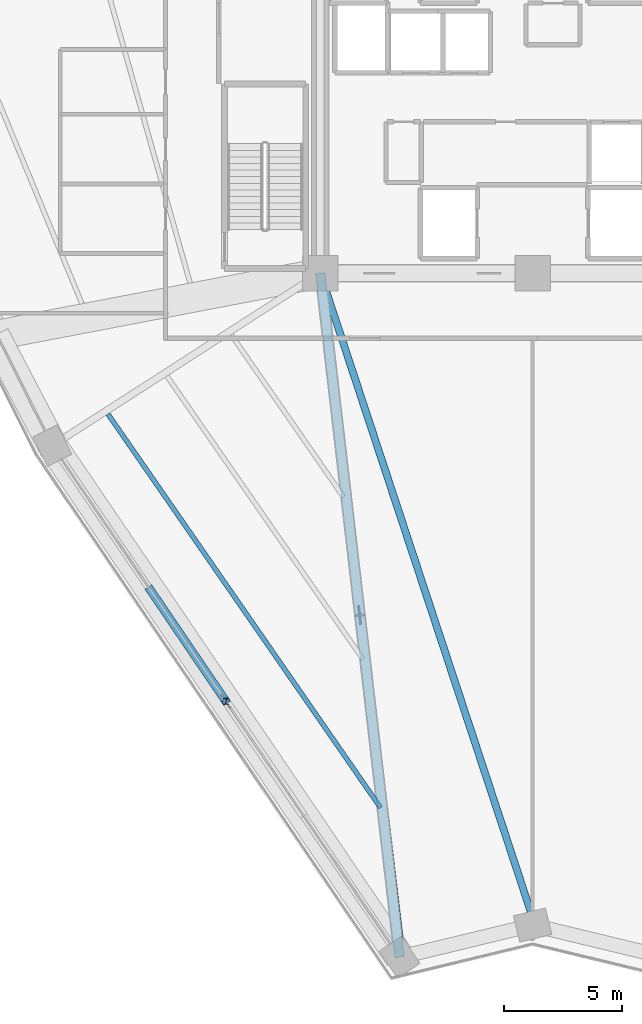
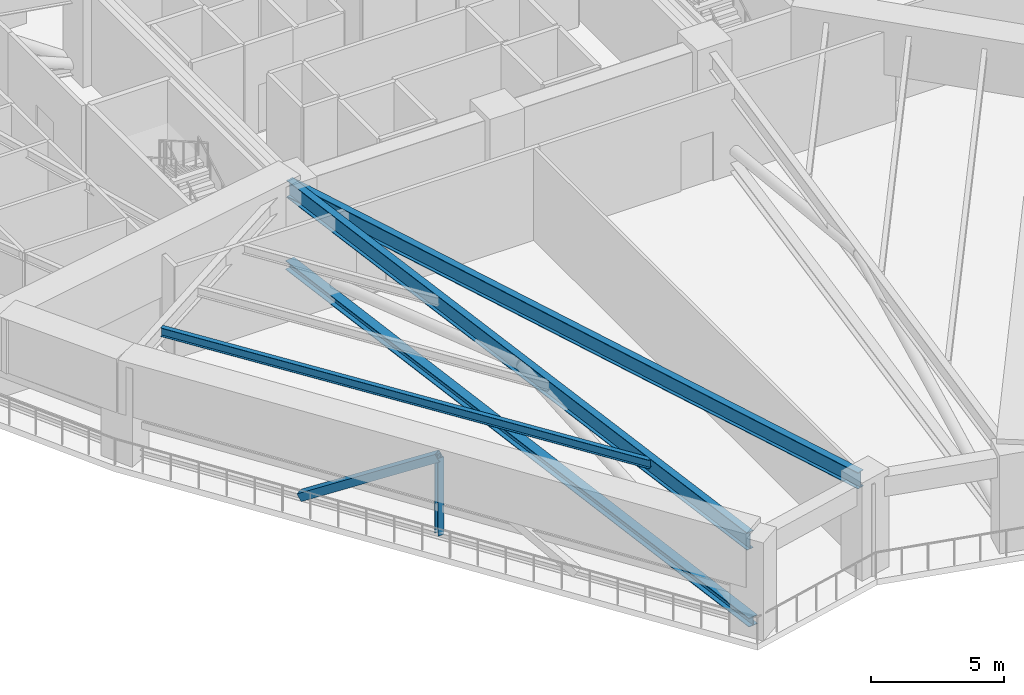
# One storey, part 2 of 27: 3 beams, 3 members.
"""IFC4 building model written with IfcOpenShell, lengths in metres."""

from ifc_helpers import new_model, si_unit, direction, frame, origin, origin_2d, place, context, subcontext, project, spatial, hollow_rectangle, i_section, extrude, source, transform, mapped, material, material_profile, profile_set, type_object, element, save


model = new_model("IFC4")

# Units and contexts
model_context = context("Model", 3, precision=1e-05, world=origin(), true_north=direction((0.0, 1.0)))
body_context = subcontext(model_context, "Body", "Model", "MODEL_VIEW")
ifc_project = project(units=[si_unit("LENGTHUNIT", "METRE"), si_unit("AREAUNIT", "SQUARE_METRE"), si_unit("VOLUMEUNIT", "CUBIC_METRE"), si_unit("PLANEANGLEUNIT", "RADIAN"), si_unit("MASSUNIT", "GRAM", prefix="KILO")], contexts=[model_context])

# Site, building, storey
site_placement = place(None, origin())
site = spatial("IfcSite", under=ifc_project, at=site_placement, CompositionType="ELEMENT")
building_placement = place(site_placement, origin())
building = spatial("IfcBuilding", under=site, at=building_placement, Name="Liaohun Quay Tower", CompositionType="ELEMENT")
storey_placement = place(building_placement, frame((0.0, 0.0, 185.25)))
storey = spatial("IfcBuildingStorey", under=building, at=storey_placement, Name="L48", CompositionType="ELEMENT", Elevation=185.25)

# Member
ifc_material_1 = material(Name="Steel Q355D", Category="steel")
ifc_material_profile_1 = material_profile(ifc_material_1, i_section(OverallWidth=0.25, OverallDepth=0.25, WebThickness=0.009033203125, FlangeThickness=0.013916015625, at=origin_2d()), Name="HW250x250x9x14")
ifc_profile_set_1 = profile_set([ifc_material_profile_1], Name="Steel Q355D")
member_type_1 = type_object("IfcMemberType", Name="MEM-BLT-PST", PredefinedType="POST", material=ifc_profile_set_1)
shared_shape_1 = source(origin(), body_context, "Body", "SweptSolid", [
    extrude(i_section(OverallWidth=0.25, OverallDepth=0.25, WebThickness=0.009033203125, FlangeThickness=0.013916015625, at=origin_2d()), origin(), (0.0, 0.0, 1.0), 3.56982421875),
])
member_1_placement = place(storey_placement, frame((47.001953125, 28.34912109375, 0.35009765625), z_axis=(0.0, 0.0, 1.0), x_axis=(1.0, 0.0, 0.0)))
element("IfcMember", 1, at=member_1_placement, inside=storey, type_object=member_type_1, Name="L48 Belt Truss Vertical Post BP-1-01", PredefinedType="POST", context=body_context, shape_type="MappedRepresentation", body=[
    mapped(shared_shape_1, transform((0.0, 0.0, 0.0), x_axis=(1.0, 0.0, 0.0), y_axis=(0.0, 1.0, 0.0), z_axis=(0.0, 0.0, 1.0), scale=1.0)),
])

# Beams
ifc_material_profile_2 = material_profile(ifc_material_1, i_section(OverallWidth=0.300048828125, OverallDepth=0.800048828125, WebThickness=0.013916015625, FlangeThickness=0.02587890625, at=origin_2d()), Name="HN800x300x14x26")
ifc_profile_set_2 = profile_set([ifc_material_profile_2], Name="Steel Q355D")
beam_type_1 = type_object("IfcBeamType", Name="BM-RAD-M1", PredefinedType="BEAM", material=ifc_profile_set_2)
shared_shape_2 = source(origin(), body_context, "Body", "SweptSolid", [
    extrude(i_section(OverallWidth=0.300048828125, OverallDepth=0.800048828125, WebThickness=0.013916015625, FlangeThickness=0.02587890625, at=origin_2d()), origin(), (0.0, 0.0, 1.0), 28.85693359375),
])
beam_1_placement = place(storey_placement, frame((51.0, 46.5, 3.820068359375), z_axis=(0.118623434289, -0.992939313774, 0.0), x_axis=(0.992939313774, 0.118623434289, 0.0)))
element("IfcBeam", 2, at=beam_1_placement, inside=storey, type_object=beam_type_1, Name="L48 Radial Primary Girder CC1-PC01", PredefinedType="BEAM", context=body_context, shape_type="MappedRepresentation", body=[
    mapped(shared_shape_2, transform((0.0, 0.0, 0.0), x_axis=(1.0, 0.0, 0.0), y_axis=(0.0, 1.0, 0.0), z_axis=(0.0, 0.0, 1.0), scale=1.0)),
])
ifc_material_profile_3 = material_profile(ifc_material_1, i_section(OverallWidth=0.300048828125, OverallDepth=0.75, WebThickness=0.013916015625, FlangeThickness=0.02587890625, at=origin_2d()), Name="HN750x300x14x26")
ifc_profile_set_3 = profile_set([ifc_material_profile_3], Name="Steel Q355D")
beam_type_2 = type_object("IfcBeamType", Name="BM-RAD-M2", PredefinedType="BEAM", material=ifc_profile_set_3)
shared_shape_3 = source(origin(), body_context, "Body", "SweptSolid", [
    extrude(i_section(OverallWidth=0.300048828125, OverallDepth=0.75, WebThickness=0.013916015625, FlangeThickness=0.02587890625, at=origin_2d()), origin(), (0.0, 0.0, 1.0), 28.7509765625),
])
beam_2_placement = place(storey_placement, frame((51.0, 46.5, 3.844970703125), z_axis=(0.313033987205, -0.949741924343, 0.0), x_axis=(0.949741924343, 0.313033987205, 0.0)))
element("IfcBeam", 3, at=beam_2_placement, inside=storey, type_object=beam_type_2, Name="L48 Radial Primary Girder CC1-PC12", PredefinedType="BEAM", context=body_context, shape_type="MappedRepresentation", body=[
    mapped(shared_shape_3, transform((0.0, 0.0, 0.0), x_axis=(1.0, 0.0, 0.0), y_axis=(0.0, 1.0, 0.0), z_axis=(0.0, 0.0, 1.0), scale=1.0)),
])
ifc_material_profile_4 = material_profile(ifc_material_1, i_section(OverallWidth=0.199951171875, OverallDepth=0.39990234375, WebThickness=0.008056640625, FlangeThickness=0.012939453125, at=origin_2d()), Name="HN400x200x8x13")
ifc_profile_set_4 = profile_set([ifc_material_profile_4], Name="Steel Q355D")
beam_type_3 = type_object("IfcBeamType", Name="BM-SEC-J2", PredefinedType="JOIST", material=ifc_profile_set_4)
shared_shape_4 = source(origin(), body_context, "Body", "SweptSolid", [
    extrude(i_section(OverallWidth=0.199951171875, OverallDepth=0.39990234375, WebThickness=0.008056640625, FlangeThickness=0.012939453125, at=origin_2d()), origin(), (0.0, 0.0, 1.0), 20.300537109375),
])
beam_3_placement = place(storey_placement, frame((53.555908203125, 23.841064453125, 4.02001953125), z_axis=(-0.569286896275, 0.822138935783, 0.0), x_axis=(-0.822138935783, -0.569286896275, 0.0)))
element("IfcBeam", 4, at=beam_3_placement, inside=storey, type_object=beam_type_3, Name="L48 Wing Secondary Floor Joist SJ-03", PredefinedType="JOIST", context=body_context, shape_type="MappedRepresentation", body=[
    mapped(shared_shape_4, transform((0.0, 0.0, 0.0), x_axis=(1.0, 0.0, 0.0), y_axis=(0.0, 1.0, 0.0), z_axis=(0.0, 0.0, 1.0), scale=1.0)),
])

# Members
ifc_material_2 = material(Name="Steel Q420D", Category="steel")
ifc_material_profile_5 = material_profile(ifc_material_2, i_section(OverallWidth=0.405029296875, OverallDepth=0.4140625, WebThickness=0.01806640625, FlangeThickness=0.028076171875, at=origin_2d()), Name="HW414x405x18x28")
ifc_profile_set_5 = profile_set([ifc_material_profile_5], Name="Steel Q420D")
member_type_2 = type_object("IfcMemberType", Name="MEM-OUT-CHD", PredefinedType="CHORD", material=ifc_profile_set_5)
shared_shape_5 = source(origin(), body_context, "Body", "SweptSolid", [
    extrude(i_section(OverallWidth=0.405029296875, OverallDepth=0.4140625, WebThickness=0.01806640625, FlangeThickness=0.028076171875, at=origin_2d()), origin(), (0.0, 0.0, 1.0), 29.1904296875),
])
member_2_placement = place(storey_placement, frame((51.0, 46.5, 0.35009765625), z_axis=(0.115177098439, -0.993344973307, 0.0), x_axis=(0.993344973307, 0.115177098439, 0.0)))
element("IfcMember", 5, at=member_2_placement, inside=storey, type_object=member_type_2, Name="L48 Outrigger Bottom Chord OC-01", PredefinedType="CHORD", context=body_context, shape_type="MappedRepresentation", body=[
    mapped(shared_shape_5, transform((0.0, 0.0, 0.0), x_axis=(1.0, 0.0, 0.0), y_axis=(0.0, 1.0, 0.0), z_axis=(0.0, 0.0, 1.0), scale=1.0)),
])
ifc_material_profile_6 = material_profile(ifc_material_1, hollow_rectangle(XDim=0.35009765625, YDim=0.35009765625, WallThickness=0.01611328125, at=origin_2d()), Name="SHS350x350x16")
ifc_profile_set_6 = profile_set([ifc_material_profile_6], Name="Steel Q355D")
member_type_3 = type_object("IfcMemberType", Name="MEM-BLT-DG2", PredefinedType="BRACE", material=ifc_profile_set_6)
shared_shape_6 = source(origin(), body_context, "Body", "SweptSolid", [
    extrude(hollow_rectangle(XDim=0.35009765625, YDim=0.35009765625, WallThickness=0.01611328125, at=origin_2d()), origin(), (0.0, 0.0, 1.0), 6.78173828125),
])
member_3_placement = place(storey_placement, frame((47.001953125, 28.34912109375, 3.919921875), z_axis=(-0.477469584526, 0.703514334675, -0.526393746885), x_axis=(-0.827429399766, -0.561569753817, 0.0)))
element("IfcMember", 6, at=member_3_placement, inside=storey, type_object=member_type_3, Name="L48 Belt Truss Diagonal BD-01B", PredefinedType="BRACE", context=body_context, shape_type="MappedRepresentation", body=[
    mapped(shared_shape_6, transform((0.0, 0.0, 0.0), x_axis=(1.0, 0.0, 0.0), y_axis=(0.0, 1.0, 0.0), z_axis=(0.0, 0.0, 1.0), scale=1.0)),
])

save(model, "model.ifc")
